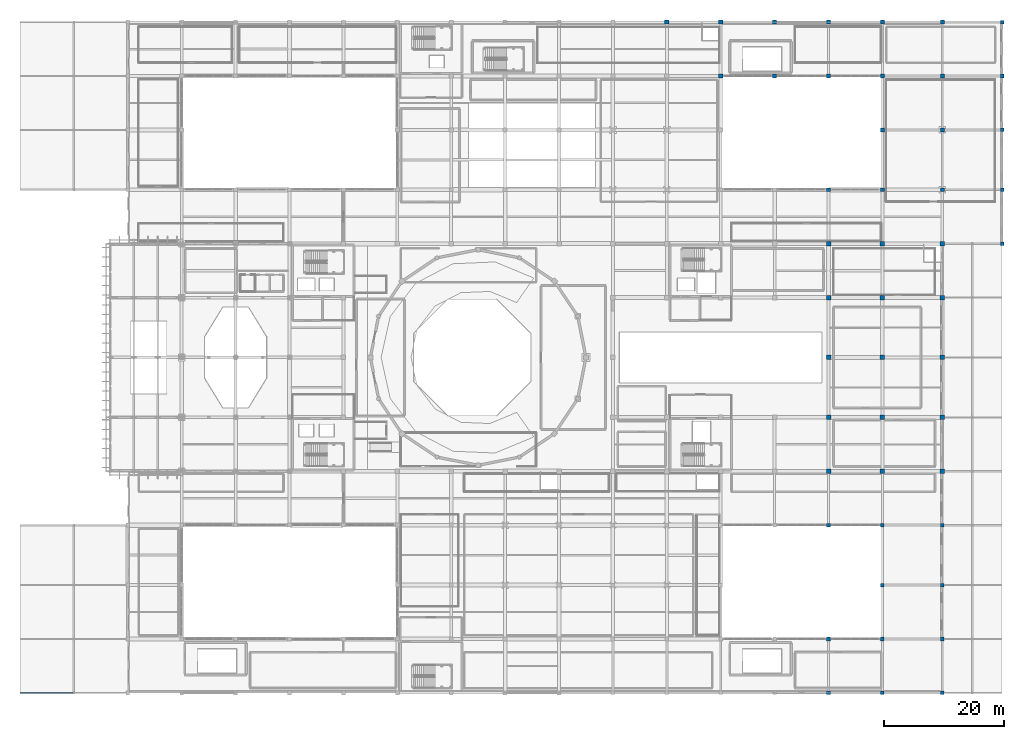
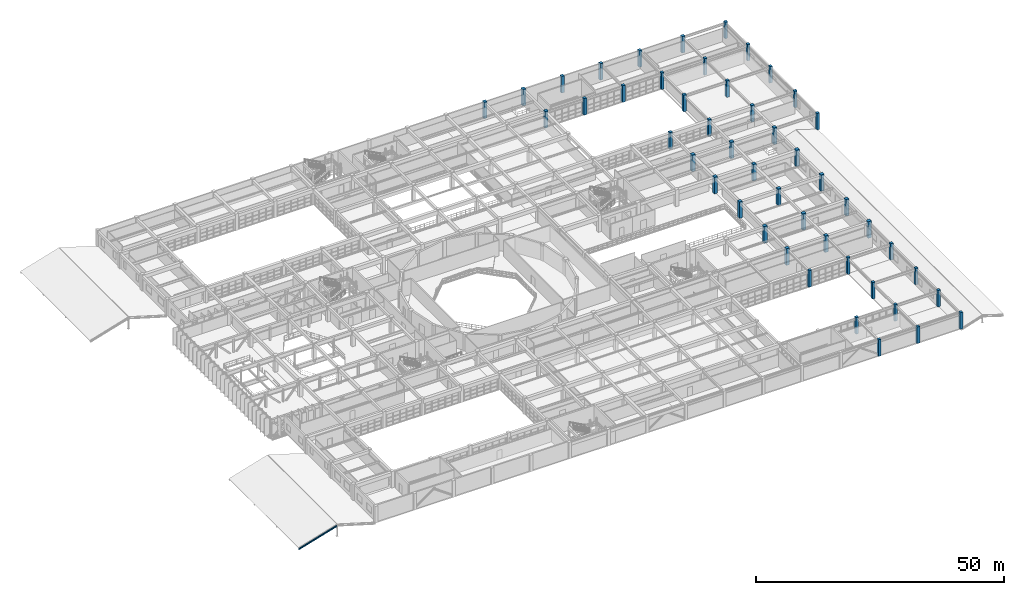
# One storey, part 14 of 130: 47 columns, 1 member.
"""IFC4 building model written with IfcOpenShell, lengths in metres."""

from ifc_helpers import new_model, si_unit, direction, frame, origin, origin_2d, place, context, subcontext, project, spatial, rectangle, i_section, extrude, material, material_profile, profile_set, type_object, element, save


model = new_model("IFC4")

# Units and contexts
model_context = context("Model", 3, precision=1e-05, world=origin(), true_north=direction((0.0, 1.0)))
body_context = subcontext(model_context, "Body", "Model", "MODEL_VIEW")
ifc_project = project(units=[si_unit("LENGTHUNIT", "METRE"), si_unit("AREAUNIT", "SQUARE_METRE"), si_unit("VOLUMEUNIT", "CUBIC_METRE"), si_unit("PLANEANGLEUNIT", "RADIAN"), si_unit("MASSUNIT", "GRAM", prefix="KILO")], contexts=[model_context])

# Site, building, storey
site_placement = place(None, origin())
site = spatial("IfcSite", under=ifc_project, at=site_placement, CompositionType="ELEMENT")
building_placement = place(site_placement, origin())
building = spatial("IfcBuilding", under=site, at=building_placement, Name="Miravela Opera House", CompositionType="ELEMENT")
storey_placement = place(building_placement, frame((0.0, 0.0, 9.52001953125)))
storey = spatial("IfcBuildingStorey", under=building, at=storey_placement, Name="L02", CompositionType="ELEMENT", Elevation=9.52001953125)

# Columns
ifc_material_1 = material(Name="Concrete C35/45", Category="concrete")
ifc_material_profile_1 = material_profile(ifc_material_1, rectangle(XDim=0.60009765625, YDim=0.60009765625, at=origin_2d()), Name="RC-COL-600X600")
ifc_profile_set_1 = profile_set([ifc_material_profile_1])
column_type_1 = type_object("IfcColumnType", Name="STR-COL-RC600", PredefinedType="COLUMN", material=ifc_profile_set_1)
for number, where, z_axis, x_axis, name in (
    (1, (135.0, 0.0, 0.0), (0.0, 0.0, 1.0), (1.0, 0.0, 0.0), "Column C-16A (L02)"),
    (2, (135.0, 9.0, 0.0), (0.0, 0.0, 1.0), (1.0, 0.0, 0.0), "Column C-16B (L02)"),
    (3, (135.0, 28.0, 0.0), (0.0, 0.0, 1.0), (1.0, 0.0, 0.0), "Column C-16D (L02)"),
    (4, (144.0, 0.0, 0.0), (0.0, 0.0, 1.0), (1.0, 0.0, 0.0), "Column C-17A (L02)"),
    (5, (144.0, 9.0, 0.0), (0.0, 0.0, 1.0), (1.0, 0.0, 0.0), "Column C-17B (L02)"),
    (6, (144.0, 18.0, 0.0), (0.0, 0.0, 1.0), (1.0, 0.0, 0.0), "Column C-17C (L02)"),
    (7, (144.0, 28.0, 0.0), (0.0, 0.0, 1.0), (1.0, 0.0, 0.0), "Column C-17D (L02)"),
    (8, (154.0, 0.0, 0.0), (0.0, 0.0, 1.0), (1.0, 0.0, 0.0), "Column C-18A (L02)"),
    (9, (154.0, 9.0, 0.0), (0.0, 0.0, 1.0), (1.0, 0.0, 0.0), "Column C-18B (L02)"),
    (10, (154.0, 18.0, 0.0), (0.0, 0.0, 1.0), (1.0, 0.0, 0.0), "Column C-18C (L02)"),
    (11, (154.0, 28.0, 0.0), (0.0, 0.0, 1.0), (1.0, 0.0, 0.0), "Column C-18D (L02)"),
    (12, (164.0, 75.0, 0.0), (0.0, 0.0, 1.0), (1.0, 0.0, 0.0), "Column C-19I (L02)"),
    (13, (164.0, 84.0, 0.0), (0.0, 0.0, 1.0), (1.0, 0.0, 0.0), "Column C-19J (L02)"),
    (14, (164.0, 94.0, 0.0), (0.0, 0.0, 1.0), (1.0, 0.0, 0.0), "Column C-19K (L02)"),
    (15, (164.0, 103.0, 0.0), (0.0, 0.0, 1.0), (1.0, 0.0, 0.0), "Column C-19L (L02)"),
    (16, (164.0, 112.0, 0.0), (0.0, 0.0, 1.0), (1.0, 0.0, 0.0), "Column C-19M (L02)"),
):
    element("IfcColumn", number, at=place(storey_placement, frame(where, z_axis=z_axis, x_axis=x_axis)), inside=storey, type_object=column_type_1, Name=name, PredefinedType="COLUMN", context=body_context, shape_type="SweptSolid", body=[
        extrude(rectangle(XDim=0.60009765625, YDim=0.60009765625, at=origin_2d()), origin(), (0.0, 0.0, 1.0), 4.080078125),
    ])
ifc_material_profile_2 = material_profile(ifc_material_1, rectangle(XDim=0.64990234375, YDim=0.64990234375, at=origin_2d()), Name="RC-COL-650X650")
ifc_profile_set_2 = profile_set([ifc_material_profile_2])
column_type_2 = type_object("IfcColumnType", Name="STR-COL-RC650", PredefinedType="COLUMN", material=ifc_profile_set_2)
for number, where, z_axis, x_axis, name in (
    (17, (126.0, 103.0, 0.0), (0.0, 0.0, 1.0), (1.0, 0.0, 0.0), "Column C-15L (L02)"),
    (18, (126.0, 112.0, 0.0), (0.0, 0.0, 1.0), (1.0, 0.0, 0.0), "Column C-15M (L02)"),
    (19, (135.0, 84.0, 0.0), (0.0, 0.0, 1.0), (1.0, 0.0, 0.0), "Column C-16J (L02)"),
    (20, (135.0, 103.0, 0.0), (0.0, 0.0, 1.0), (1.0, 0.0, 0.0), "Column C-16L (L02)"),
    (21, (135.0, 112.0, 0.0), (0.0, 0.0, 1.0), (1.0, 0.0, 0.0), "Column C-16M (L02)"),
    (22, (144.0, 84.0, 0.0), (0.0, 0.0, 1.0), (1.0, 0.0, 0.0), "Column C-17J (L02)"),
    (23, (144.0, 94.0, 0.0), (0.0, 0.0, 1.0), (1.0, 0.0, 0.0), "Column C-17K (L02)"),
    (24, (144.0, 103.0, 0.0), (0.0, 0.0, 1.0), (1.0, 0.0, 0.0), "Column C-17L (L02)"),
    (25, (144.0, 112.0, 0.0), (0.0, 0.0, 1.0), (1.0, 0.0, 0.0), "Column C-17M (L02)"),
    (26, (154.0, 84.0, 0.0), (0.0, 0.0, 1.0), (1.0, 0.0, 0.0), "Column C-18J (L02)"),
    (27, (154.0, 94.0, 0.0), (0.0, 0.0, 1.0), (1.0, 0.0, 0.0), "Column C-18K (L02)"),
    (28, (154.0, 103.0, 0.0), (0.0, 0.0, 1.0), (1.0, 0.0, 0.0), "Column C-18L (L02)"),
    (29, (154.0, 112.0, 0.0), (0.0, 0.0, 1.0), (1.0, 0.0, 0.0), "Column C-18M (L02)"),
):
    element("IfcColumn", number, at=place(storey_placement, frame(where, z_axis=z_axis, x_axis=x_axis)), inside=storey, type_object=column_type_2, Name=name, PredefinedType="COLUMN", context=body_context, shape_type="SweptSolid", body=[
        extrude(rectangle(XDim=0.64990234375, YDim=0.64990234375, at=origin_2d()), origin(), (0.0, 0.0, 1.0), 4.080078125),
    ])
ifc_material_profile_3 = material_profile(ifc_material_1, rectangle(XDim=0.699951171875, YDim=0.699951171875, at=origin_2d()), Name="RC-COL-700X700")
ifc_profile_set_3 = profile_set([ifc_material_profile_3])
column_type_3 = type_object("IfcColumnType", Name="STR-COL-RC700", PredefinedType="COLUMN", material=ifc_profile_set_3)
for number, where, z_axis, x_axis, name in (
    (30, (108.0, 112.0, 0.0), (0.0, 0.0, 1.0), (1.0, 0.0, 0.0), "Column C-13M (L02)"),
    (31, (117.0, 103.0, 0.0), (0.0, 0.0, 1.0), (1.0, 0.0, 0.0), "Column C-14L (L02)"),
    (32, (117.0, 112.0, 0.0), (0.0, 0.0, 1.0), (1.0, 0.0, 0.0), "Column C-14M (L02)"),
):
    element("IfcColumn", number, at=place(storey_placement, frame(where, z_axis=z_axis, x_axis=x_axis)), inside=storey, type_object=column_type_3, Name=name, PredefinedType="COLUMN", context=body_context, shape_type="SweptSolid", body=[
        extrude(rectangle(XDim=0.699951171875, YDim=0.699951171875, at=origin_2d()), origin(), (0.0, 0.0, 1.0), 4.080078125),
    ])
ifc_material_profile_4 = material_profile(ifc_material_1, rectangle(XDim=0.75, YDim=0.75, at=origin_2d()), Name="RC-COL-750X750")
ifc_profile_set_4 = profile_set([ifc_material_profile_4])
column_type_4 = type_object("IfcColumnType", Name="STR-COL-RC750", PredefinedType="COLUMN", material=ifc_profile_set_4)
for number, where, z_axis, x_axis, name in (
    (33, (135.0, 37.0, 0.0), (0.0, 0.0, 1.0), (1.0, 0.0, 0.0), "Column C-16E (L02)"),
    (34, (135.0, 46.0, 0.0), (0.0, 0.0, 1.0), (1.0, 0.0, 0.0), "Column C-16F (L02)"),
    (35, (135.0, 56.0, 0.0), (0.0, 0.0, 1.0), (1.0, 0.0, 0.0), "Column C-16G (L02)"),
    (36, (135.0, 66.0, 0.0), (0.0, 0.0, 1.0), (1.0, 0.0, 0.0), "Column C-16H (L02)"),
    (37, (135.0, 75.0, 0.0), (0.0, 0.0, 1.0), (1.0, 0.0, 0.0), "Column C-16I (L02)"),
    (38, (144.0, 37.0, 0.0), (0.0, 0.0, 1.0), (1.0, 0.0, 0.0), "Column C-17E (L02)"),
    (39, (144.0, 46.0, 0.0), (0.0, 0.0, 1.0), (1.0, 0.0, 0.0), "Column C-17F (L02)"),
    (40, (144.0, 56.0, 0.0), (0.0, 0.0, 1.0), (1.0, 0.0, 0.0), "Column C-17G (L02)"),
    (41, (144.0, 66.0, 0.0), (0.0, 0.0, 1.0), (1.0, 0.0, 0.0), "Column C-17H (L02)"),
    (42, (144.0, 75.0, 0.0), (0.0, 0.0, 1.0), (1.0, 0.0, 0.0), "Column C-17I (L02)"),
    (43, (154.0, 37.0, 0.0), (0.0, 0.0, 1.0), (1.0, 0.0, 0.0), "Column C-18E (L02)"),
    (44, (154.0, 46.0, 0.0), (0.0, 0.0, 1.0), (1.0, 0.0, 0.0), "Column C-18F (L02)"),
    (45, (154.0, 56.0, 0.0), (0.0, 0.0, 1.0), (1.0, 0.0, 0.0), "Column C-18G (L02)"),
    (46, (154.0, 66.0, 0.0), (0.0, 0.0, 1.0), (1.0, 0.0, 0.0), "Column C-18H (L02)"),
    (47, (154.0, 75.0, 0.0), (0.0, 0.0, 1.0), (1.0, 0.0, 0.0), "Column C-18I (L02)"),
):
    element("IfcColumn", number, at=place(storey_placement, frame(where, z_axis=z_axis, x_axis=x_axis)), inside=storey, type_object=column_type_4, Name=name, PredefinedType="COLUMN", context=body_context, shape_type="SweptSolid", body=[
        extrude(rectangle(XDim=0.75, YDim=0.75, at=origin_2d()), origin(), (0.0, 0.0, 1.0), 4.080078125),
    ])

# Member
ifc_material_2 = material(Name="Structural steel ASTM A992 Gr. 50", Category="steel")
ifc_material_profile_5 = material_profile(ifc_material_2, i_section(OverallWidth=0.2041015625, OverallDepth=0.35009765625, WebThickness=0.008544921875, FlangeThickness=0.01513671875, FilletRadius=0.013916015625, at=origin_2d()), Name="W360X72")
ifc_profile_set_5 = profile_set([ifc_material_profile_5])
member_type = type_object("IfcMemberType", Name="STR-MEM-RAFTER-1", PredefinedType="RAFTER", material=ifc_profile_set_5)
member_placement = place(storey_placement, frame((0.050048828125, 0.0, -0.39990234375), z_axis=(0.958562219619, 0.0, 0.284883258756), x_axis=(0.0, 1.0, 0.0)))
element("IfcMember", 48, at=member_placement, inside=storey, type_object=member_type, Name="Pitched Roof Rafter ROOF-V5-SOUTH W0", PredefinedType="RAFTER", context=body_context, shape_type="SweptSolid", body=[
    extrude(i_section(OverallWidth=0.2041015625, OverallDepth=0.35009765625, WebThickness=0.008544921875, FlangeThickness=0.01513671875, FilletRadius=0.013916015625, at=origin_2d()), origin(), (0.0, 0.0, 1.0), 9.3369140625),
])

save(model, "model.ifc")
